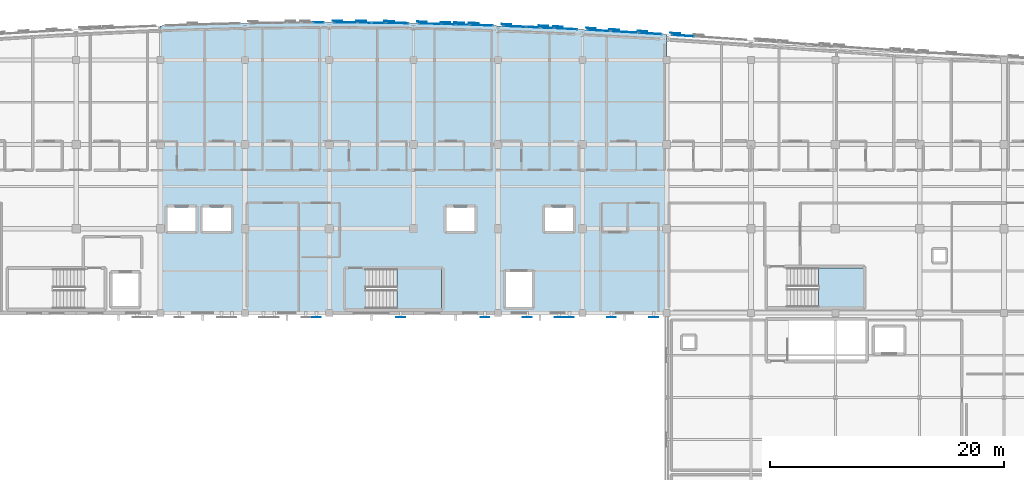
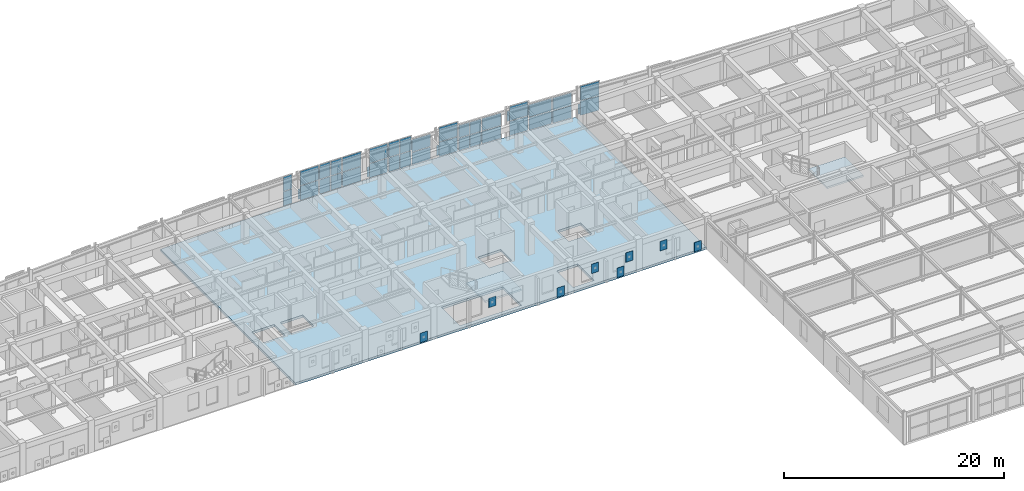
# One storey, part 54 of 73: 56 plates, 3 slabs, 16 elements without a shape of their own.
"""IFC4 building model written with IfcOpenShell, lengths in metres."""

from ifc_helpers import new_model, si_unit, direction, frame, origin, origin_2d, place, context, subcontext, project, spatial, polyline, rectangle, outline, extrude, material, layer, layer_set, type_object, element, aggregate, save


model = new_model("IFC4")

# Units and contexts
model_context = context("Model", 3, precision=1e-05, world=origin(), true_north=direction((0.0, 1.0)))
body_context = subcontext(model_context, "Body", "Model", "MODEL_VIEW")
ifc_project = project(units=[si_unit("LENGTHUNIT", "METRE"), si_unit("AREAUNIT", "SQUARE_METRE"), si_unit("VOLUMEUNIT", "CUBIC_METRE"), si_unit("PLANEANGLEUNIT", "RADIAN"), si_unit("MASSUNIT", "GRAM", prefix="KILO")], contexts=[model_context])

# Site, building, storey
site_placement = place(None, origin())
site = spatial("IfcSite", under=ifc_project, at=site_placement, CompositionType="ELEMENT")
building_placement = place(site_placement, origin())
building = spatial("IfcBuilding", under=site, at=building_placement, Name="Carrowvane Square Congress Hotel", CompositionType="ELEMENT")
storey_placement = place(building_placement, frame((0.0, 0.0, 19.199951171875)))
storey = spatial("IfcBuildingStorey", under=building, at=storey_placement, Name="L04", CompositionType="ELEMENT", Elevation=19.199951171875)

# Curtain wall, plates
ifc_material_1 = material(Name="Anodised aluminium", Category="aluminium")
ifc_layer_1 = layer(ifc_material_1, 0.197998046875)
ifc_layer_set_1 = layer_set([ifc_layer_1], Name="Anodised aluminium")
curtain_wall_type_1 = type_object("IfcCurtainWallType", Name="CW-SYS-4", PredefinedType="NOTDEFINED", material=ifc_layer_set_1)
curtain_wall_1_placement = place(storey_placement, origin())
curtain_wall_1 = element("IfcCurtainWall", 1, at=curtain_wall_1_placement, inside=storey, type_object=curtain_wall_type_1, Name="L04 unitised curtain wall 275", PredefinedType="NOTDEFINED")
ifc_material_2 = material(Name="Double-glazed low-E glass", Category="glass")
ifc_layer_2 = layer(ifc_material_2, 0.028076171875)
ifc_layer_set_2 = layer_set([ifc_layer_2], Name="Double-glazed low-E glass")
plate_type_1 = type_object("IfcPlateType", Name="CW-PAN-1", PredefinedType="CURTAIN_PANEL", material=ifc_layer_set_2)
plate_1_placement = place(storey_placement, frame((106.59619140625, 116.498291015625, 0.06982421875), z_axis=(0.0, 0.0, 1.0), x_axis=(0.99974644475, -0.022517686606, 0.0)))
plate_1 = element("IfcPlate", 2, at=plate_1_placement, type_object=plate_type_1, Name="CW-4 panel 1.1", PredefinedType="CURTAIN_PANEL", context=body_context, shape_type="SweptSolid", body=[
    extrude(rectangle(XDim=1.8681640625, YDim=0.028076171875, at=origin_2d()), origin(), (0.0, 0.0, 1.0), 1.570068359375),
])
plate_2_placement = place(storey_placement, frame((106.59619140625, 116.498291015625, 1.7099609375), z_axis=(0.0, 0.0, 1.0), x_axis=(0.99974644475, -0.022517686606, 0.0)))
plate_2 = element("IfcPlate", 3, at=plate_2_placement, type_object=plate_type_1, Name="CW-4 panel 1.2", PredefinedType="CURTAIN_PANEL", context=body_context, shape_type="SweptSolid", body=[
    extrude(rectangle(XDim=1.8681640625, YDim=0.028076171875, at=origin_2d()), origin(), (0.0, 0.0, 1.0), 1.570068359375),
])
aggregate(curtain_wall_1, [plate_1, plate_2])

ifc_material_3 = material(Name="Anodised aluminium", Category="aluminium")
ifc_layer_3 = layer(ifc_material_3, 0.162109375)
ifc_layer_set_3 = layer_set([ifc_layer_3], Name="Anodised aluminium")
curtain_wall_type_2 = type_object("IfcCurtainWallType", Name="CW-SYS-1", PredefinedType="NOTDEFINED", material=ifc_layer_set_3)
curtain_wall_2_placement = place(storey_placement, origin())
curtain_wall_2 = element("IfcCurtainWall", 4, at=curtain_wall_2_placement, inside=storey, type_object=curtain_wall_type_2, Name="L04 unitised curtain wall 280", PredefinedType="NOTDEFINED")
plate_3_placement = place(storey_placement, frame((118.2177734375, 116.067138671875, 0.06005859375), z_axis=(0.0, 0.0, 1.0), x_axis=(0.998732955299, -0.050323791596, 0.0)))
plate_3 = element("IfcPlate", 5, at=plate_3_placement, type_object=plate_type_1, Name="CW-1 panel 1.1", PredefinedType="CURTAIN_PANEL", context=body_context, shape_type="SweptSolid", body=[
    extrude(rectangle(XDim=1.91796875, YDim=0.028076171875, at=origin_2d()), origin(), (0.0, 0.0, 1.0), 1.372802734375),
])
plate_4_placement = place(storey_placement, frame((118.2177734375, 116.067138671875, 1.49267578125), z_axis=(0.0, 0.0, 1.0), x_axis=(0.998732955299, -0.050323791596, 0.0)))
plate_4 = element("IfcPlate", 6, at=plate_4_placement, type_object=plate_type_1, Name="CW-1 panel 1.2", PredefinedType="CURTAIN_PANEL", context=body_context, shape_type="SweptSolid", body=[
    extrude(rectangle(XDim=1.91796875, YDim=0.028076171875, at=origin_2d()), origin(), (0.0, 0.0, 1.0), 1.372802734375),
])
aggregate(curtain_wall_2, [plate_3, plate_4])

ifc_material_4 = material(Name="Anodised aluminium", Category="aluminium")
ifc_layer_4 = layer(ifc_material_4, 0.24609375)
ifc_layer_set_4 = layer_set([ifc_layer_4], Name="Anodised aluminium")
curtain_wall_type_3 = type_object("IfcCurtainWallType", Name="CW-SYS-8", PredefinedType="NOTDEFINED", material=ifc_layer_set_4)
curtain_wall_3_placement = place(storey_placement, origin())
curtain_wall_3 = element("IfcCurtainWall", 7, at=curtain_wall_3_placement, inside=storey, type_object=curtain_wall_type_3, Name="L04 unitised curtain wall 271", PredefinedType="NOTDEFINED")
ifc_material_5 = material(Name="Double-glazed low-E glass", Category="glass")
ifc_layer_5 = layer(ifc_material_5, 0.031982421875)
ifc_layer_set_5 = layer_set([ifc_layer_5], Name="Double-glazed low-E glass")
plate_type_2 = type_object("IfcPlateType", Name="CW-PAN-2", PredefinedType="CURTAIN_PANEL", material=ifc_layer_set_5)
plate_5_placement = place(storey_placement, frame((97.09375, 116.596923828125, 0.06982421875), z_axis=(0.0, 0.0, 1.0), x_axis=(0.999994652529, 0.003270307911, 0.0)))
plate_5 = element("IfcPlate", 8, at=plate_5_placement, type_object=plate_type_2, Name="CW-8 panel 2.1", PredefinedType="CURTAIN_PANEL", context=body_context, shape_type="SweptSolid", body=[
    extrude(rectangle(XDim=0.902587890625, YDim=0.031982421875, at=origin_2d()), origin(), (0.0, 0.0, 1.0), 1.570068359375),
])
plate_6_placement = place(storey_placement, frame((97.09375, 116.596923828125, 1.7099609375), z_axis=(0.0, 0.0, 1.0), x_axis=(0.999994652529, 0.003270307911, 0.0)))
plate_6 = element("IfcPlate", 9, at=plate_6_placement, type_object=plate_type_2, Name="CW-8 panel 2.2", PredefinedType="CURTAIN_PANEL", context=body_context, shape_type="SweptSolid", body=[
    extrude(rectangle(XDim=0.902587890625, YDim=0.031982421875, at=origin_2d()), origin(), (0.0, 0.0, 1.0), 1.570068359375),
])
aggregate(curtain_wall_3, [plate_5, plate_6])

ifc_material_6 = material(Name="Anodised aluminium", Category="aluminium")
ifc_layer_6 = layer(ifc_material_6, 0.2099609375)
ifc_layer_set_6 = layer_set([ifc_layer_6], Name="Anodised aluminium")
curtain_wall_type_4 = type_object("IfcCurtainWallType", Name="CW-SYS-5", PredefinedType="NOTDEFINED", material=ifc_layer_set_6)
curtain_wall_4_placement = place(storey_placement, origin())
curtain_wall_4 = element("IfcCurtainWall", 10, at=curtain_wall_4_placement, inside=storey, type_object=curtain_wall_type_4, Name="L04 unitised curtain wall 276", PredefinedType="NOTDEFINED")
plate_7_placement = place(storey_placement, frame((108.215087890625, 116.4580078125, 0.06005859375), z_axis=(0.0, 0.0, 1.0), x_axis=(0.999589848065, -0.028638010501, 0.0)))
plate_7 = element("IfcPlate", 11, at=plate_7_placement, type_object=plate_type_2, Name="CW-5 panel 1.1", PredefinedType="CURTAIN_PANEL", context=body_context, shape_type="SweptSolid", body=[
    extrude(rectangle(XDim=1.110595703125, YDim=0.031982421875, at=origin_2d()), origin(), (0.0, 0.0, 1.0), 1.5849609375),
])
plate_8_placement = place(storey_placement, frame((108.215087890625, 116.4580078125, 1.705078125), z_axis=(0.0, 0.0, 1.0), x_axis=(0.999589848065, -0.028638010501, 0.0)))
plate_8 = element("IfcPlate", 12, at=plate_8_placement, type_object=plate_type_2, Name="CW-5 panel 1.2", PredefinedType="CURTAIN_PANEL", context=body_context, shape_type="SweptSolid", body=[
    extrude(rectangle(XDim=1.110595703125, YDim=0.031982421875, at=origin_2d()), origin(), (0.0, 0.0, 1.0), 1.5849609375),
])
plate_9_placement = place(storey_placement, frame((109.385009765625, 116.424560546875, 0.06005859375), z_axis=(0.0, 0.0, 1.0), x_axis=(0.999589848065, -0.028638010501, 0.0)))
plate_9 = element("IfcPlate", 13, at=plate_9_placement, type_object=plate_type_2, Name="CW-5 panel 2.1", PredefinedType="CURTAIN_PANEL", context=body_context, shape_type="SweptSolid", body=[
    extrude(rectangle(XDim=1.110595703125, YDim=0.031982421875, at=origin_2d()), origin(), (0.0, 0.0, 1.0), 1.5849609375),
])
plate_10_placement = place(storey_placement, frame((109.385009765625, 116.424560546875, 1.705078125), z_axis=(0.0, 0.0, 1.0), x_axis=(0.999589848065, -0.028638010501, 0.0)))
plate_10 = element("IfcPlate", 14, at=plate_10_placement, type_object=plate_type_2, Name="CW-5 panel 2.2", PredefinedType="CURTAIN_PANEL", context=body_context, shape_type="SweptSolid", body=[
    extrude(rectangle(XDim=1.110595703125, YDim=0.031982421875, at=origin_2d()), origin(), (0.0, 0.0, 1.0), 1.5849609375),
])
aggregate(curtain_wall_4, [plate_7, plate_8, plate_9, plate_10])

ifc_material_7 = material(Name="Anodised aluminium", Category="aluminium")
ifc_layer_7 = layer(ifc_material_7, 0.174072265625)
ifc_layer_set_7 = layer_set([ifc_layer_7], Name="Anodised aluminium")
curtain_wall_type_5 = type_object("IfcCurtainWallType", Name="CW-SYS-2", PredefinedType="NOTDEFINED", material=ifc_layer_set_7)
curtain_wall_5_placement = place(storey_placement, origin())
curtain_wall_5 = element("IfcCurtainWall", 15, at=curtain_wall_5_placement, inside=storey, type_object=curtain_wall_type_5, Name="L04 unitised curtain wall 281", PredefinedType="NOTDEFINED")
plate_11_placement = place(storey_placement, frame((121.002197265625, 115.920654296875, 0.06982421875), z_axis=(0.0, 0.0, 1.0), x_axis=(0.998496473856, -0.054815980317, 0.0)))
plate_11 = element("IfcPlate", 16, at=plate_11_placement, type_object=plate_type_2, Name="CW-2 panel 1.1", PredefinedType="CURTAIN_PANEL", context=body_context, shape_type="SweptSolid", body=[
    extrude(rectangle(XDim=1.8583984375, YDim=0.031982421875, at=origin_2d()), origin(), (0.0, 0.0, 1.0), 1.570068359375),
])
plate_12_placement = place(storey_placement, frame((121.002197265625, 115.920654296875, 1.7099609375), z_axis=(0.0, 0.0, 1.0), x_axis=(0.998496473856, -0.054815980317, 0.0)))
plate_12 = element("IfcPlate", 17, at=plate_12_placement, type_object=plate_type_2, Name="CW-2 panel 1.2", PredefinedType="CURTAIN_PANEL", context=body_context, shape_type="SweptSolid", body=[
    extrude(rectangle(XDim=1.8583984375, YDim=0.031982421875, at=origin_2d()), origin(), (0.0, 0.0, 1.0), 1.570068359375),
])
aggregate(curtain_wall_5, [plate_11, plate_12])

curtain_wall_6_placement = place(storey_placement, origin())
curtain_wall_6 = element("IfcCurtainWall", 18, at=curtain_wall_6_placement, inside=storey, type_object=curtain_wall_type_2, Name="L04 unitised curtain wall 272", PredefinedType="NOTDEFINED")
ifc_material_8 = material(Name="Double-glazed low-E glass", Category="glass")
ifc_layer_8 = layer(ifc_material_8, 0.035888671875)
ifc_layer_set_8 = layer_set([ifc_layer_8], Name="Double-glazed low-E glass")
plate_type_3 = type_object("IfcPlateType", Name="CW-PAN-3", PredefinedType="CURTAIN_PANEL", material=ifc_layer_set_8)
plate_13_placement = place(storey_placement, frame((99.392333984375, 116.595458984375, 0.06005859375), z_axis=(0.0, 0.0, 1.0), x_axis=(0.999994652529, -0.003270307911, 0.0)))
plate_13 = element("IfcPlate", 19, at=plate_13_placement, type_object=plate_type_3, Name="CW-1 panel 1.1", PredefinedType="CURTAIN_PANEL", context=body_context, shape_type="SweptSolid", body=[
    extrude(rectangle(XDim=1.89501953125, YDim=0.035888671875, at=origin_2d()), origin(), (0.0, 0.0, 1.0), 1.5849609375),
])
plate_14_placement = place(storey_placement, frame((99.392333984375, 116.595458984375, 1.705078125), z_axis=(0.0, 0.0, 1.0), x_axis=(0.999994652529, -0.003270307911, 0.0)))
plate_14 = element("IfcPlate", 20, at=plate_14_placement, type_object=plate_type_3, Name="CW-1 panel 1.2", PredefinedType="CURTAIN_PANEL", context=body_context, shape_type="SweptSolid", body=[
    extrude(rectangle(XDim=1.89501953125, YDim=0.035888671875, at=origin_2d()), origin(), (0.0, 0.0, 1.0), 1.5849609375),
])
aggregate(curtain_wall_6, [plate_13, plate_14])

ifc_material_9 = material(Name="Anodised aluminium", Category="aluminium")
ifc_layer_9 = layer(ifc_material_9, 0.221923828125)
ifc_layer_set_9 = layer_set([ifc_layer_9], Name="Anodised aluminium")
curtain_wall_type_6 = type_object("IfcCurtainWallType", Name="CW-SYS-6", PredefinedType="NOTDEFINED", material=ifc_layer_set_9)
curtain_wall_7_placement = place(storey_placement, origin())
curtain_wall_7 = element("IfcCurtainWall", 21, at=curtain_wall_7_placement, inside=storey, type_object=curtain_wall_type_6, Name="L04 unitised curtain wall 277", PredefinedType="NOTDEFINED")
plate_15_placement = place(storey_placement, frame((111.0146484375, 116.371826171875, 0.070068359375), z_axis=(0.0, 0.0, 1.0), x_axis=(0.999403663525, -0.034529948347, 0.0)))
plate_15 = element("IfcPlate", 22, at=plate_15_placement, type_object=plate_type_3, Name="CW-6 panel 1.1", PredefinedType="CURTAIN_PANEL", context=body_context, shape_type="SweptSolid", body=[
    extrude(rectangle(XDim=1.890625, YDim=0.035888671875, at=origin_2d()), origin(), (0.0, 0.0, 1.0), 1.35791015625),
])
plate_16_placement = place(storey_placement, frame((111.0146484375, 116.371826171875, 1.497802734375), z_axis=(0.0, 0.0, 1.0), x_axis=(0.999403663525, -0.034529948347, 0.0)))
plate_16 = element("IfcPlate", 23, at=plate_16_placement, type_object=plate_type_3, Name="CW-6 panel 1.2", PredefinedType="CURTAIN_PANEL", context=body_context, shape_type="SweptSolid", body=[
    extrude(rectangle(XDim=1.890625, YDim=0.035888671875, at=origin_2d()), origin(), (0.0, 0.0, 1.0), 1.35791015625),
])
aggregate(curtain_wall_7, [plate_15, plate_16])

ifc_material_10 = material(Name="Anodised aluminium", Category="aluminium")
ifc_layer_10 = layer(ifc_material_10, 0.18603515625)
ifc_layer_set_10 = layer_set([ifc_layer_10], Name="Anodised aluminium")
curtain_wall_type_7 = type_object("IfcCurtainWallType", Name="CW-SYS-3", PredefinedType="NOTDEFINED", material=ifc_layer_set_10)
curtain_wall_8_placement = place(storey_placement, origin())
curtain_wall_8 = element("IfcCurtainWall", 24, at=curtain_wall_8_placement, inside=storey, type_object=curtain_wall_type_7, Name="L04 unitised curtain wall 282", PredefinedType="NOTDEFINED")
plate_17_placement = place(storey_placement, frame((123.199951171875, 115.795166015625, 0.06005859375), z_axis=(0.0, 0.0, 1.0), x_axis=(0.998266763162, -0.058851249486, 0.0)))
plate_17 = element("IfcPlate", 25, at=plate_17_placement, type_object=plate_type_3, Name="CW-3 panel 1.1", PredefinedType="CURTAIN_PANEL", context=body_context, shape_type="SweptSolid", body=[
    extrude(rectangle(XDim=2.2841796875, YDim=0.035888671875, at=origin_2d()), origin(), (0.0, 0.0, 1.0), 1.372802734375),
])
plate_18_placement = place(storey_placement, frame((123.199951171875, 115.795166015625, 1.49267578125), z_axis=(0.0, 0.0, 1.0), x_axis=(0.998266763162, -0.058851249486, 0.0)))
plate_18 = element("IfcPlate", 26, at=plate_18_placement, type_object=plate_type_3, Name="CW-3 panel 1.2", PredefinedType="CURTAIN_PANEL", context=body_context, shape_type="SweptSolid", body=[
    extrude(rectangle(XDim=2.2841796875, YDim=0.035888671875, at=origin_2d()), origin(), (0.0, 0.0, 1.0), 1.372802734375),
])
aggregate(curtain_wall_8, [plate_17, plate_18])

curtain_wall_9_placement = place(storey_placement, origin())
curtain_wall_9 = element("IfcCurtainWall", 27, at=curtain_wall_9_placement, inside=storey, type_object=curtain_wall_type_5, Name="L04 unitised curtain wall 273", PredefinedType="NOTDEFINED")
ifc_material_11 = material(Name="Double-glazed low-E glass", Category="glass")
ifc_layer_11 = layer(ifc_material_11, 0.0419921875)
ifc_layer_set_11 = layer_set([ifc_layer_11], Name="Double-glazed low-E glass")
plate_type_4 = type_object("IfcPlateType", Name="CW-PAN-4", PredefinedType="CURTAIN_PANEL", material=ifc_layer_set_11)
plate_19_placement = place(storey_placement, frame((101.017578125, 116.586181640625, 0.06982421875), z_axis=(0.0, 0.0, 1.0), x_axis=(0.999952146231, -0.009782905924, 0.0)))
plate_19 = element("IfcPlate", 28, at=plate_19_placement, type_object=plate_type_4, Name="CW-2 panel 1.1", PredefinedType="CURTAIN_PANEL", context=body_context, shape_type="SweptSolid", body=[
    extrude(rectangle(XDim=1.094970703125, YDim=0.0419921875, at=origin_2d()), origin(), (0.0, 0.0, 1.0), 1.570068359375),
])
plate_20_placement = place(storey_placement, frame((101.017578125, 116.586181640625, 1.7099609375), z_axis=(0.0, 0.0, 1.0), x_axis=(0.999952146231, -0.009782905924, 0.0)))
plate_20 = element("IfcPlate", 29, at=plate_20_placement, type_object=plate_type_4, Name="CW-2 panel 1.2", PredefinedType="CURTAIN_PANEL", context=body_context, shape_type="SweptSolid", body=[
    extrude(rectangle(XDim=1.094970703125, YDim=0.0419921875, at=origin_2d()), origin(), (0.0, 0.0, 1.0), 1.570068359375),
])
plate_21_placement = place(storey_placement, frame((102.182373046875, 116.57470703125, 0.06982421875), z_axis=(0.0, 0.0, 1.0), x_axis=(0.999952146231, -0.009782905924, 0.0)))
plate_21 = element("IfcPlate", 30, at=plate_21_placement, type_object=plate_type_4, Name="CW-2 panel 2.1", PredefinedType="CURTAIN_PANEL", context=body_context, shape_type="SweptSolid", body=[
    extrude(rectangle(XDim=1.094970703125, YDim=0.0419921875, at=origin_2d()), origin(), (0.0, 0.0, 1.0), 1.570068359375),
])
plate_22_placement = place(storey_placement, frame((102.182373046875, 116.57470703125, 1.7099609375), z_axis=(0.0, 0.0, 1.0), x_axis=(0.999952146231, -0.009782905924, 0.0)))
plate_22 = element("IfcPlate", 31, at=plate_22_placement, type_object=plate_type_4, Name="CW-2 panel 2.2", PredefinedType="CURTAIN_PANEL", context=body_context, shape_type="SweptSolid", body=[
    extrude(rectangle(XDim=1.094970703125, YDim=0.0419921875, at=origin_2d()), origin(), (0.0, 0.0, 1.0), 1.570068359375),
])
aggregate(curtain_wall_9, [plate_19, plate_20, plate_21, plate_22])

ifc_material_12 = material(Name="Anodised aluminium", Category="aluminium")
ifc_layer_12 = layer(ifc_material_12, 0.23388671875)
ifc_layer_set_12 = layer_set([ifc_layer_12], Name="Anodised aluminium")
curtain_wall_type_8 = type_object("IfcCurtainWallType", Name="CW-SYS-7", PredefinedType="NOTDEFINED", material=ifc_layer_set_12)
curtain_wall_10_placement = place(storey_placement, origin())
curtain_wall_10 = element("IfcCurtainWall", 32, at=curtain_wall_10_placement, inside=storey, type_object=curtain_wall_type_8, Name="L04 unitised curtain wall 278", PredefinedType="NOTDEFINED")
plate_23_placement = place(storey_placement, frame((113.79931640625, 116.267822265625, 0.06005859375), z_axis=(0.0, 0.0, 1.0), x_axis=(0.999194428656, -0.040130957403, 0.0)))
plate_23 = element("IfcPlate", 33, at=plate_23_placement, type_object=plate_type_4, Name="CW-7 panel 1.1", PredefinedType="CURTAIN_PANEL", context=body_context, shape_type="SweptSolid", body=[
    extrude(rectangle(XDim=1.8828125, YDim=0.0419921875, at=origin_2d()), origin(), (0.0, 0.0, 1.0), 1.5849609375),
])
plate_24_placement = place(storey_placement, frame((113.79931640625, 116.267822265625, 1.705078125), z_axis=(0.0, 0.0, 1.0), x_axis=(0.999194428656, -0.040130957403, 0.0)))
plate_24 = element("IfcPlate", 34, at=plate_24_placement, type_object=plate_type_4, Name="CW-7 panel 1.2", PredefinedType="CURTAIN_PANEL", context=body_context, shape_type="SweptSolid", body=[
    extrude(rectangle(XDim=1.8828125, YDim=0.0419921875, at=origin_2d()), origin(), (0.0, 0.0, 1.0), 1.5849609375),
])
aggregate(curtain_wall_10, [plate_23, plate_24])

curtain_wall_11_placement = place(storey_placement, origin())
curtain_wall_11 = element("IfcCurtainWall", 35, at=curtain_wall_11_placement, inside=storey, type_object=curtain_wall_type_1, Name="L04 unitised curtain wall 283", PredefinedType="NOTDEFINED")
plate_25_placement = place(storey_placement, frame((125.419921875, 115.66064453125, 0.070068359375), z_axis=(0.0, 0.0, 1.0), x_axis=(0.998051398046, -0.062397170272, 0.0)))
plate_25 = element("IfcPlate", 36, at=plate_25_placement, type_object=plate_type_4, Name="CW-4 panel 1.1", PredefinedType="CURTAIN_PANEL", context=body_context, shape_type="SweptSolid", body=[
    extrude(rectangle(XDim=1.904052734375, YDim=0.0419921875, at=origin_2d()), origin(), (0.0, 0.0, 1.0), 1.35791015625),
])
plate_26_placement = place(storey_placement, frame((125.419921875, 115.66064453125, 1.497802734375), z_axis=(0.0, 0.0, 1.0), x_axis=(0.998051398046, -0.062397170272, 0.0)))
plate_26 = element("IfcPlate", 37, at=plate_26_placement, type_object=plate_type_4, Name="CW-4 panel 1.2", PredefinedType="CURTAIN_PANEL", context=body_context, shape_type="SweptSolid", body=[
    extrude(rectangle(XDim=1.904052734375, YDim=0.0419921875, at=origin_2d()), origin(), (0.0, 0.0, 1.0), 1.35791015625),
])
aggregate(curtain_wall_11, [plate_25, plate_26])

curtain_wall_12_placement = place(storey_placement, origin())
curtain_wall_12 = element("IfcCurtainWall", 38, at=curtain_wall_12_placement, inside=storey, type_object=curtain_wall_type_7, Name="L04 unitised curtain wall 274", PredefinedType="NOTDEFINED")
ifc_material_13 = material(Name="Double-glazed low-E glass", Category="glass")
ifc_layer_13 = layer(ifc_material_13, 0.048095703125)
ifc_layer_set_13 = layer_set([ifc_layer_13], Name="Double-glazed low-E glass")
plate_type_5 = type_object("IfcPlateType", Name="CW-PAN-5", PredefinedType="CURTAIN_PANEL", material=ifc_layer_set_13)
plate_27_placement = place(storey_placement, frame((103.811279296875, 116.55224609375, 0.06005859375), z_axis=(0.0, 0.0, 1.0), x_axis=(0.99986851233, -0.016215981364, 0.0)))
plate_27 = element("IfcPlate", 39, at=plate_27_placement, type_object=plate_type_5, Name="CW-3 panel 1.1", PredefinedType="CURTAIN_PANEL", context=body_context, shape_type="SweptSolid", body=[
    extrude(rectangle(XDim=1.902587890625, YDim=0.048095703125, at=origin_2d()), origin(), (0.0, 0.0, 1.0), 1.5849609375),
])
plate_28_placement = place(storey_placement, frame((103.811279296875, 116.55224609375, 1.705078125), z_axis=(0.0, 0.0, 1.0), x_axis=(0.99986851233, -0.016215981364, 0.0)))
plate_28 = element("IfcPlate", 40, at=plate_28_placement, type_object=plate_type_5, Name="CW-3 panel 1.2", PredefinedType="CURTAIN_PANEL", context=body_context, shape_type="SweptSolid", body=[
    extrude(rectangle(XDim=1.902587890625, YDim=0.048095703125, at=origin_2d()), origin(), (0.0, 0.0, 1.0), 1.5849609375),
])
aggregate(curtain_wall_12, [plate_27, plate_28])

curtain_wall_13_placement = place(storey_placement, origin())
curtain_wall_13 = element("IfcCurtainWall", 41, at=curtain_wall_13_placement, inside=storey, type_object=curtain_wall_type_3, Name="L04 unitised curtain wall 279", PredefinedType="NOTDEFINED")
plate_29_placement = place(storey_placement, frame((115.41748046875, 116.199462890625, 0.070068359375), z_axis=(0.0, 0.0, 1.0), x_axis=(0.998968385726, -0.045411059449, 0.0)))
plate_29 = element("IfcPlate", 42, at=plate_29_placement, type_object=plate_type_5, Name="CW-8 panel 1.1", PredefinedType="CURTAIN_PANEL", context=body_context, shape_type="SweptSolid", body=[
    extrude(rectangle(XDim=1.09619140625, YDim=0.048095703125, at=origin_2d()), origin(), (0.0, 0.0, 1.0), 1.35791015625),
])
plate_30_placement = place(storey_placement, frame((115.41748046875, 116.199462890625, 1.497802734375), z_axis=(0.0, 0.0, 1.0), x_axis=(0.998968385726, -0.045411059449, 0.0)))
plate_30 = element("IfcPlate", 43, at=plate_30_placement, type_object=plate_type_5, Name="CW-8 panel 1.2", PredefinedType="CURTAIN_PANEL", context=body_context, shape_type="SweptSolid", body=[
    extrude(rectangle(XDim=1.09619140625, YDim=0.048095703125, at=origin_2d()), origin(), (0.0, 0.0, 1.0), 1.35791015625),
])
plate_31_placement = place(storey_placement, frame((116.58251953125, 116.146484375, 0.070068359375), z_axis=(0.0, 0.0, 1.0), x_axis=(0.998968385726, -0.045411059449, 0.0)))
plate_31 = element("IfcPlate", 44, at=plate_31_placement, type_object=plate_type_5, Name="CW-8 panel 2.1", PredefinedType="CURTAIN_PANEL", context=body_context, shape_type="SweptSolid", body=[
    extrude(rectangle(XDim=1.09619140625, YDim=0.048095703125, at=origin_2d()), origin(), (0.0, 0.0, 1.0), 1.35791015625),
])
plate_32_placement = place(storey_placement, frame((116.58251953125, 116.146484375, 1.497802734375), z_axis=(0.0, 0.0, 1.0), x_axis=(0.998968385726, -0.045411059449, 0.0)))
plate_32 = element("IfcPlate", 45, at=plate_32_placement, type_object=plate_type_5, Name="CW-8 panel 2.2", PredefinedType="CURTAIN_PANEL", context=body_context, shape_type="SweptSolid", body=[
    extrude(rectangle(XDim=1.09619140625, YDim=0.048095703125, at=origin_2d()), origin(), (0.0, 0.0, 1.0), 1.35791015625),
])
aggregate(curtain_wall_13, [plate_29, plate_30, plate_31, plate_32])

curtain_wall_14_placement = place(storey_placement, origin())
curtain_wall_14 = element("IfcCurtainWall", 46, at=curtain_wall_14_placement, inside=storey, type_object=curtain_wall_type_4, Name="L04 unitised curtain wall 284", PredefinedType="NOTDEFINED")
plate_33_placement = place(storey_placement, frame((128.204345703125, 115.482177734375, 0.06005859375), z_axis=(0.0, 0.0, 1.0), x_axis=(0.9978582145, -0.065413941589, 0.0)))
plate_33 = element("IfcPlate", 47, at=plate_33_placement, type_object=plate_type_5, Name="CW-5 panel 1.1", PredefinedType="CURTAIN_PANEL", context=body_context, shape_type="SweptSolid", body=[
    extrude(rectangle(XDim=1.8759765625, YDim=0.048095703125, at=origin_2d()), origin(), (0.0, 0.0, 1.0), 1.5849609375),
])
plate_34_placement = place(storey_placement, frame((128.204345703125, 115.482177734375, 1.705078125), z_axis=(0.0, 0.0, 1.0), x_axis=(0.9978582145, -0.065413941589, 0.0)))
plate_34 = element("IfcPlate", 48, at=plate_34_placement, type_object=plate_type_5, Name="CW-5 panel 1.2", PredefinedType="CURTAIN_PANEL", context=body_context, shape_type="SweptSolid", body=[
    extrude(rectangle(XDim=1.8759765625, YDim=0.048095703125, at=origin_2d()), origin(), (0.0, 0.0, 1.0), 1.5849609375),
])
aggregate(curtain_wall_14, [plate_33, plate_34])

# Plates
ifc_material_14 = material(Name="Champagne-gold anodised aluminium", Category="aluminium")
ifc_layer_14 = layer(ifc_material_14, 0.011962890625)
ifc_layer_set_14 = layer_set([ifc_layer_14], Name="Champagne-gold anodised aluminium")
plate_type_6 = type_object("IfcPlateType", Name="PLT-PIX-GOLD12", PredefinedType="SHEET", material=ifc_layer_set_14)
for number, where, z_axis, x_axis, name in (
    (49, (100.726318359375, 116.7548828125, 1.590087890625), (0.0, 0.0, 1.0), (0.999952150705, -0.009782448565, 0.0), "Champagne-gold pixel screen plate 325"),
    (50, (105.920654296875, 116.679443359375, 0.119873046875), (0.0, 0.0, 1.0), (0.999746418061, -0.022518871507, 0.0), "Champagne-gold pixel screen plate 327"),
    (51, (110.330322265625, 116.5615234375, 1.590087890625), (0.0, 0.0, 1.0), (0.999403768784, -0.034526901703, 0.0), "Champagne-gold pixel screen plate 330"),
    (52, (116.297119140625, 116.32568359375, 0.119873046875), (0.0, 0.0, 1.0), (0.998968255262, -0.045413929349, 0.0), "Champagne-gold pixel screen plate 332"),
    (53, (120.337890625, 116.123291015625, 1.590087890625), (0.0, 0.0, 1.0), (0.998496552462, -0.054814548441, 0.0), "Champagne-gold pixel screen plate 334"),
    (54, (124.734619140625, 115.86962890625, 0.119873046875), (0.0, 0.0, 1.0), (0.998051413269, -0.062396926785, 0.0), "Champagne-gold pixel screen plate 336"),
):
    element("IfcPlate", number, at=place(storey_placement, frame(where, z_axis=z_axis, x_axis=x_axis)), inside=storey, type_object=plate_type_6, Name=name, PredefinedType="SHEET", context=body_context, shape_type="SweptSolid", body=[
        extrude(rectangle(XDim=0.827880859375, YDim=0.011962890625, at=origin_2d()), origin(), (0.0, 0.0, 1.0), 1.1201171875),
    ])
for number, where, z_axis, x_axis, name in (
    (55, (118.5, 91.4541015625, 1.52490234375), (0.0, 0.0, 1.0), (-1.0, 0.0, 0.0), "Champagne-gold pixel screen plate S-367"),
    (56, (117.60009765625, 91.4541015625, 0.15478515625), (0.0, 0.0, 1.0), (-1.0, 0.0, 0.0), "Champagne-gold pixel screen plate S-368"),
    (57, (114.89990234375, 91.4541015625, 1.52490234375), (0.0, 0.0, 1.0), (-1.0, 0.0, 0.0), "Champagne-gold pixel screen plate S-369"),
    (58, (104.10009765625, 91.4541015625, 1.52490234375), (0.0, 0.0, 1.0), (-1.0, 0.0, 0.0), "Champagne-gold pixel screen plate S-371"),
):
    element("IfcPlate", number, at=place(storey_placement, frame(where, z_axis=z_axis, x_axis=x_axis)), inside=storey, type_object=plate_type_6, Name=name, PredefinedType="SHEET", context=body_context, shape_type="SweptSolid", body=[
        extrude(rectangle(XDim=0.738037109375, YDim=0.011962890625, at=origin_2d()), origin(), (0.0, 0.0, 1.0), 1.050048828125),
    ])
ifc_material_15 = material(Name="Champagne-gold anodised aluminium", Category="aluminium")
ifc_layer_15 = layer(ifc_material_15, 0.008056640625)
ifc_layer_set_15 = layer_set([ifc_layer_15], Name="Champagne-gold anodised aluminium")
plate_type_7 = type_object("IfcPlateType", Name="PLT-PIX-GOLD8", PredefinedType="SHEET", material=ifc_layer_set_15)
for number, where, z_axis, x_axis, name in (
    (59, (98.705322265625, 116.76171875, 0.119873046875), (0.0, 0.0, 1.0), (0.999994654955, -0.003269565853, 0.0), "Champagne-gold pixel screen plate 324"),
    (60, (103.122314453125, 116.7275390625, 0.119873046875), (0.0, 0.0, 1.0), (0.999868508772, -0.016216200758, 0.0), "Champagne-gold pixel screen plate 326"),
    (61, (107.92431640625, 116.63037109375, 1.590087890625), (0.0, 0.0, 1.0), (0.999589805464, -0.028639497417, 0.0), "Champagne-gold pixel screen plate 328"),
    (62, (109.094482421875, 116.596923828125, 0.119873046875), (0.0, 0.0, 1.0), (0.999589805464, -0.028639497417, 0.0), "Champagne-gold pixel screen plate 329"),
    (63, (113.125, 116.458984375, 0.119873046875), (0.0, 0.0, 1.0), (0.999194294234, -0.040134304148, 0.0), "Champagne-gold pixel screen plate 331"),
    (64, (117.527587890625, 116.26611328125, 0.119873046875), (0.0, 0.0, 1.0), (0.998733066647, -0.050321581706, 0.0), "Champagne-gold pixel screen plate 333"),
    (65, (122.328857421875, 116.0107421875, 1.590087890625), (0.0, 0.0, 1.0), (0.998266695506, -0.05885239709, 0.0), "Champagne-gold pixel screen plate 335"),
    (66, (127.538330078125, 115.690185546875, 0.119873046875), (0.0, 0.0, 1.0), (0.99785825325, -0.065413350476, 0.0), "Champagne-gold pixel screen plate 337"),
):
    element("IfcPlate", number, at=place(storey_placement, frame(where, z_axis=z_axis, x_axis=x_axis)), inside=storey, type_object=plate_type_7, Name=name, PredefinedType="SHEET", context=body_context, shape_type="SweptSolid", body=[
        extrude(rectangle(XDim=0.827880859375, YDim=0.008056640625, at=origin_2d()), origin(), (0.0, 0.0, 1.0), 1.1201171875),
    ])
for number, where, z_axis, x_axis, name in (
    (67, (125.699951171875, 91.4560546875, 0.15478515625), (0.0, 0.0, 1.0), (-1.0, 0.0, 0.0), "Champagne-gold pixel screen plate S-365"),
    (68, (122.10009765625, 91.4560546875, 1.52490234375), (0.0, 0.0, 1.0), (-1.0, 0.0, 0.0), "Champagne-gold pixel screen plate S-366"),
    (69, (111.300048828125, 91.4560546875, 0.15478515625), (0.0, 0.0, 1.0), (-1.0, 0.0, 0.0), "Champagne-gold pixel screen plate S-370"),
    (70, (96.89990234375, 91.4560546875, 0.15478515625), (0.0, 0.0, 1.0), (-1.0, 0.0, 0.0), "Champagne-gold pixel screen plate S-372"),
):
    element("IfcPlate", number, at=place(storey_placement, frame(where, z_axis=z_axis, x_axis=x_axis)), inside=storey, type_object=plate_type_7, Name=name, PredefinedType="SHEET", context=body_context, shape_type="SweptSolid", body=[
        extrude(rectangle(XDim=0.738037109375, YDim=0.008056640625, at=origin_2d()), origin(), (0.0, 0.0, 1.0), 1.050048828125),
    ])

# Slab
ifc_material_16 = material(Name="Concrete C35/45", Category="concrete")
ifc_layer_16 = layer(ifc_material_16, 0.260009765625)
ifc_layer_set_16 = layer_set([ifc_layer_16], Name="Concrete C35/45")
slab_type_1 = type_object("IfcSlabType", Name="SLB-FLR-260", PredefinedType="FLOOR", material=ifc_layer_set_16)
slab_1_placement = place(storey_placement, frame((0.0, 0.0, -0.260009765625)))
element("IfcSlab", 71, at=slab_1_placement, inside=storey, type_object=slab_type_1, Name="L04 Hotel Wing slab panel 2", PredefinedType="FLOOR", context=body_context, shape_type="SweptSolid", body=[
    extrude(outline(polyline([(83.60009765625, 91.800048828125), (126.800048828125, 91.800048828125), (126.800048828125, 115.57421875), (124.39990234375, 115.724365234375), (122.0, 115.86572265625), (119.60009765625, 115.99755859375), (117.199951171875, 116.118408203125), (114.800048828125, 116.2275390625), (112.39990234375, 116.323974609375), (110.0, 116.406982421875), (107.60009765625, 116.4755859375), (105.199951171875, 116.52978515625), (102.800048828125, 116.568603515625), (100.39990234375, 116.592041015625), (98.0, 116.60009765625), (95.60009765625, 116.592041015625), (93.199951171875, 116.568603515625), (90.800048828125, 116.52978515625), (88.39990234375, 116.4755859375), (86.0, 116.406982421875), (83.60009765625, 116.323974609375), (83.60009765625, 91.800048828125)]), holes=[polyline([(101.1201171875, 92.199951171875), (107.60009765625, 92.199951171875), (107.60009765625, 95.56005859375), (101.1201171875, 95.56005859375), (101.1201171875, 92.199951171875)]), polyline([(84.199951171875, 98.800048828125), (86.60009765625, 98.800048828125), (86.60009765625, 100.800048828125), (84.199951171875, 100.800048828125), (84.199951171875, 98.800048828125)]), polyline([(87.199951171875, 98.800048828125), (89.60009765625, 98.800048828125), (89.60009765625, 100.800048828125), (87.199951171875, 100.800048828125), (87.199951171875, 98.800048828125)]), polyline([(108.0, 98.800048828125), (110.39990234375, 98.800048828125), (110.39990234375, 100.800048828125), (108.0, 100.800048828125), (108.0, 98.800048828125)]), polyline([(116.39990234375, 98.800048828125), (118.800048828125, 98.800048828125), (118.800048828125, 100.800048828125), (116.39990234375, 100.800048828125), (116.39990234375, 98.800048828125)]), polyline([(113.10009765625, 92.300048828125), (115.300048828125, 92.300048828125), (115.300048828125, 95.300048828125), (113.10009765625, 95.300048828125), (113.10009765625, 92.300048828125)])]), origin(), (0.0, 0.0, 1.0), 0.260009765625),
])

# Stair, slab
ifc_material_17 = material(Name="Concrete C35/45", Category="concrete")
stair_type = type_object("IfcStairType", Name="STR-DOG-02", PredefinedType="HALF_TURN_STAIR", material=ifc_material_17)
stair_1_placement = place(storey_placement, origin())
stair_1 = element("IfcStair", 72, at=stair_1_placement, inside=storey, type_object=stair_type, Name="L04 Core C3 East Hotel Escape Stair", PredefinedType="HALF_TURN_STAIR")
ifc_material_18 = material(Name="Concrete C35/45", Category="concrete")
ifc_layer_17 = layer(ifc_material_18, 0.199951171875)
ifc_layer_set_17 = layer_set([ifc_layer_17], Name="Concrete C35/45")
slab_type_2 = type_object("IfcSlabType", Name="SLB-LND-200", PredefinedType="LANDING", material=ifc_layer_set_17)
slab_2_placement = place(storey_placement, frame((0.0, 0.0, 1.60009765625)))
slab_2 = element("IfcSlab", 73, at=slab_2_placement, type_object=slab_type_2, Name="ST3 landing 1", PredefinedType="LANDING", context=body_context, shape_type="SweptSolid", body=[
    extrude(outline(polyline([(103.780029296875, 92.199951171875), (107.60009765625, 92.199951171875), (107.60009765625, 95.56005859375), (103.780029296875, 95.56005859375), (103.780029296875, 92.199951171875)])), origin(), (0.0, 0.0, 1.0), 0.199951171875),
])
aggregate(stair_1, [slab_2])

stair_2_placement = place(storey_placement, origin())
stair_2 = element("IfcStair", 74, at=stair_2_placement, inside=storey, type_object=stair_type, Name="L04 East Hotel Wing Escape Stair", PredefinedType="HALF_TURN_STAIR")
slab_3_placement = place(storey_placement, frame((0.0, 0.0, 1.60009765625)))
slab_3 = element("IfcSlab", 75, at=slab_3_placement, type_object=slab_type_2, Name="ST12 landing 1", PredefinedType="LANDING", context=body_context, shape_type="SweptSolid", body=[
    extrude(outline(polyline([(139.780029296875, 92.300048828125), (143.60009765625, 92.300048828125), (143.60009765625, 95.659912109375), (139.780029296875, 95.659912109375), (139.780029296875, 92.300048828125)])), origin(), (0.0, 0.0, 1.0), 0.199951171875),
])
aggregate(stair_2, [slab_3])

save(model, "model.ifc")
